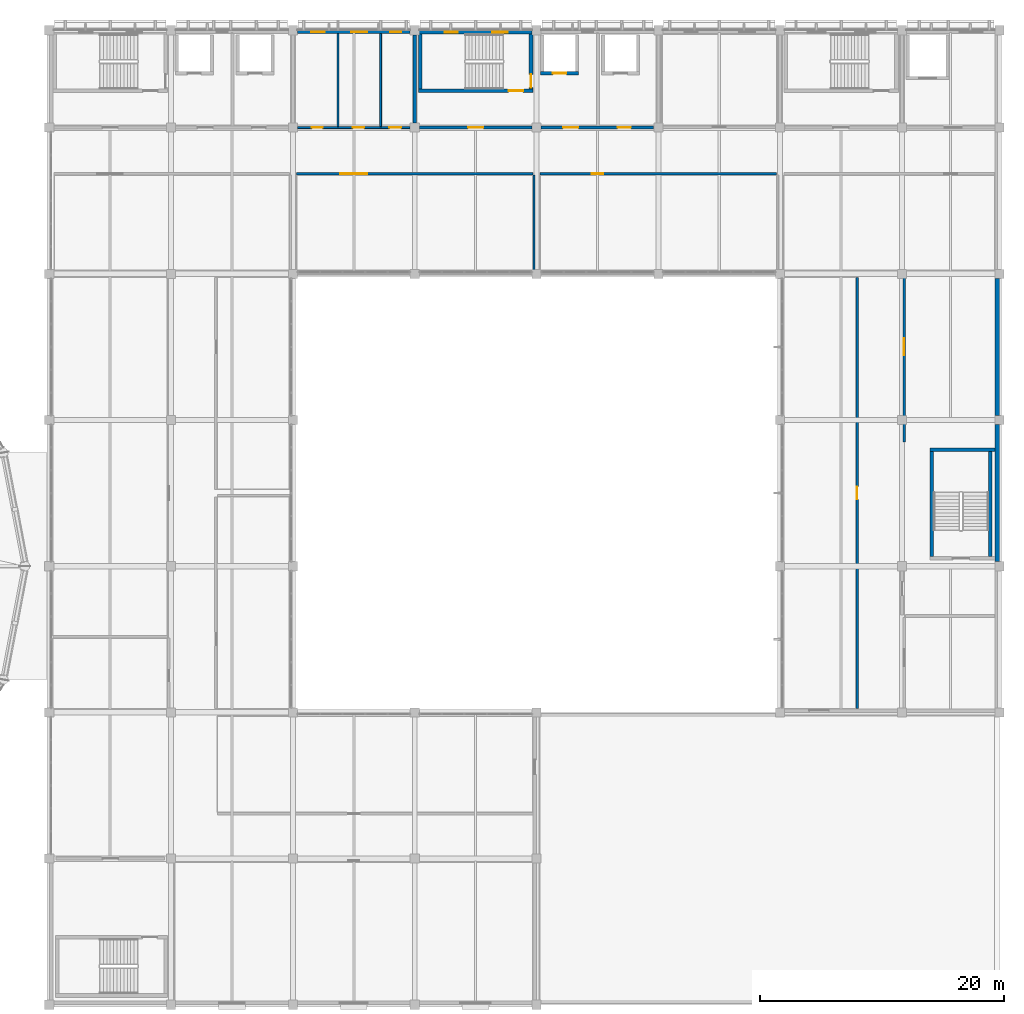
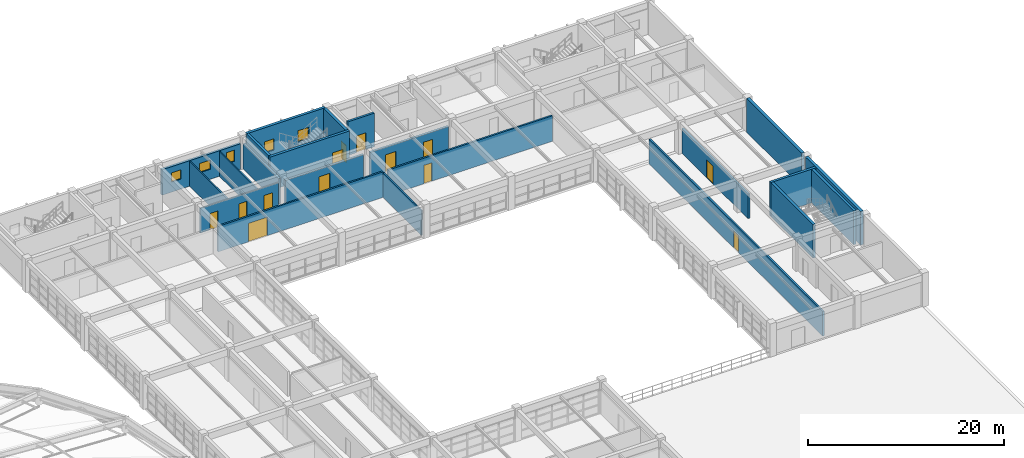
# One storey, part 72 of 83: 22 walls, 13 doors, 5 windows, 18 openings.
"""IFC4 building model written with IfcOpenShell, lengths in metres."""

from ifc_helpers import new_model, si_unit, direction, frame, frame_2d, origin, place, context, subcontext, project, spatial, rectangle, extrude, material, layer, layer_set, type_object, element, fill, save


model = new_model("IFC4")

# Units and contexts
model_context = context("Model", 3, precision=1e-05, world=origin(), true_north=direction((0.0, 1.0)))
body_context = subcontext(model_context, "Body", "Model", "MODEL_VIEW")
ifc_project = project(units=[si_unit("LENGTHUNIT", "METRE"), si_unit("AREAUNIT", "SQUARE_METRE"), si_unit("VOLUMEUNIT", "CUBIC_METRE"), si_unit("PLANEANGLEUNIT", "RADIAN"), si_unit("MASSUNIT", "GRAM", prefix="KILO")], contexts=[model_context])

# Site, building, storey
site_placement = place(None, origin())
site = spatial("IfcSite", under=ifc_project, at=site_placement, CompositionType="ELEMENT")
building_placement = place(site_placement, origin())
building = spatial("IfcBuilding", under=site, at=building_placement, Name="Kivolera Central Railway Station", CompositionType="ELEMENT")
storey_placement = place(building_placement, frame((0.0, 0.0, 14.39990234375)))
storey = spatial("IfcBuildingStorey", under=building, at=storey_placement, Name="L03", CompositionType="ELEMENT", Elevation=14.39990234375)

# Wall, opening, door
ifc_material_1 = material(Name="Concrete C40/50", Category="concrete")
ifc_layer_1 = layer(ifc_material_1, 0.22998046875, Name="Concrete C40/50")
ifc_layer_set_1 = layer_set([ifc_layer_1], Name="Concrete C40/50")
wall_type_1 = type_object("IfcWallType", Name="WL-COMP-230", PredefinedType="PARTITIONING", material=ifc_layer_set_1)
wall_1_placement = place(storey_placement, frame((188.179931640625, 100.199951171875, 0.0), z_axis=(0.0, 0.0, 1.0), x_axis=(0.0, 1.0, 0.0)))
wall_1 = element("IfcWall", 1, at=wall_1_placement, inside=storey, type_object=wall_type_1, Name="L03 Operational Records Archive Store Corridor Wall", PredefinedType="PARTITIONING", context=body_context, shape_type="SweptSolid", body=[
    extrude(rectangle(XDim=13.5, YDim=0.22998046875, at=frame_2d((6.75, 0.0))), origin(), (0.0, 0.0, 1.0), 3.078125),
])
opening_1_placement = place(wall_1_placement, frame((7.10009765625, 0.0, 0.0)))
opening_1 = element("IfcOpeningElement", 2, at=opening_1_placement, cuts=wall_1, Name="Opening D-PLT-1400", PredefinedType="OPENING", context=body_context, shape_type="SweptSolid", body=[
    extrude(rectangle(XDim=1.39990234375, YDim=2.199951171875, at=frame_2d((0.699951171875, 1.10009765625))), frame((0.0, 0.125, 0.0), z_axis=(0.0, -1.0, 0.0), x_axis=(1.0, 0.0, 0.0)), (0.0, 0.0, 1.0), 0.25),
])
ifc_material_2 = material(Name="Anodised aluminium", Category="aluminium")
door_type_1 = type_object("IfcDoorType", Name="DR-D-PLT-1400", OperationType="NOTDEFINED", PredefinedType="DOOR", material=ifc_material_2)
door_1_placement = place(opening_1_placement, origin())
door_1 = element("IfcDoor", 3, at=door_1_placement, inside=storey, type_object=door_type_1, Name="L03 Operational Records Archive Store Door", OperationType="SINGLE_SWING_LEFT", OverallHeight=2.199951171875, OverallWidth=1.39990234375, PredefinedType="DOOR", context=body_context, shape_type="SweptSolid", body=[
    extrude(rectangle(XDim=1.39990234375, YDim=2.199951171875, at=frame_2d((0.699951171875, 1.10009765625))), frame((0.0, 0.02490234375, 0.0), z_axis=(0.0, -1.0, 0.0), x_axis=(1.0, 0.0, 0.0)), (0.0, 0.0, 1.0), 0.050048828125),
])
fill(opening_1, door_1)

ifc_material_3 = material(Name="Swahili coral limestone", Category="masonry")
ifc_layer_2 = layer(ifc_material_3, 0.199951171875, Name="Swahili coral limestone")
ifc_layer_set_2 = layer_set([ifc_layer_2], Name="Swahili coral limestone")
wall_type_2 = type_object("IfcWallType", Name="WL-COR-200", PredefinedType="PARTITIONING", material=ifc_layer_set_2)
wall_2_placement = place(storey_placement, frame((138.300048828125, 122.219970703125, 0.0), z_axis=(0.0, 0.0, 1.0), x_axis=(1.0, 0.0, 0.0)))
wall_2 = element("IfcWall", 4, at=wall_2_placement, inside=storey, type_object=wall_type_2, Name="L03 Public Transport Exhibition Classroom Corridor Wall", PredefinedType="PARTITIONING", context=body_context, shape_type="SweptSolid", body=[
    extrude(rectangle(XDim=19.39990234375, YDim=0.199951171875, at=frame_2d((9.699951171875, 0.0))), origin(), (0.0, 0.0, 1.0), 3.177978515625),
])
opening_2_placement = place(wall_2_placement, frame((3.60009765625, 0.0, 0.0)))
opening_2 = element("IfcOpeningElement", 5, at=opening_2_placement, cuts=wall_2, Name="Opening D-DB-08", PredefinedType="OPENING", context=body_context, shape_type="SweptSolid", body=[
    extrude(rectangle(XDim=2.199951171875, YDim=2.300048828125, at=frame_2d((1.10009765625, 1.14990234375))), frame((0.0, 0.10986328125, 0.0), z_axis=(0.0, -1.0, 0.0), x_axis=(1.0, 0.0, 0.0)), (0.0, 0.0, 1.0), 0.219970703125),
])
door_type_2 = type_object("IfcDoorType", Name="DR-D-DB-08", OperationType="NOTDEFINED", PredefinedType="DOOR", material=ifc_material_2)
door_2_placement = place(opening_2_placement, origin())
door_2 = element("IfcDoor", 6, at=door_2_placement, inside=storey, type_object=door_type_2, Name="L03 Public Transport Exhibition Classroom Door", OperationType="DOUBLE_DOOR_SINGLE_SWING", OverallHeight=2.300048828125, OverallWidth=2.199951171875, PredefinedType="DOOR", context=body_context, shape_type="SweptSolid", body=[
    extrude(rectangle(XDim=2.199951171875, YDim=2.300048828125, at=frame_2d((1.10009765625, 1.14990234375))), frame((0.0, 0.02490234375, 0.0), z_axis=(0.0, -1.0, 0.0), x_axis=(1.0, 0.0, 0.0)), (0.0, 0.0, 1.0), 0.050048828125),
])
fill(opening_2, door_2)

wall_3_placement = place(storey_placement, frame((158.300048828125, 122.219970703125, 0.0), z_axis=(0.0, 0.0, 1.0), x_axis=(1.0, 0.0, 0.0)))
wall_3 = element("IfcWall", 7, at=wall_3_placement, inside=storey, type_object=wall_type_2, Name="L03 Station Master Administration Office Corridor Wall", PredefinedType="PARTITIONING", context=body_context, shape_type="SweptSolid", body=[
    extrude(rectangle(XDim=19.39990234375, YDim=0.199951171875, at=frame_2d((9.699951171875, 0.0))), origin(), (0.0, 0.0, 1.0), 3.177978515625),
])
opening_3_placement = place(wall_3_placement, frame((4.22509765625, 0.0, 0.0)))
opening_3 = element("IfcOpeningElement", 8, at=opening_3_placement, cuts=wall_3, Name="Opening D-SG-13", PredefinedType="OPENING", context=body_context, shape_type="SweptSolid", body=[
    extrude(rectangle(XDim=0.949951171875, YDim=2.300048828125, at=frame_2d((0.47509765625, 1.14990234375))), frame((0.0, 0.10986328125, 0.0), z_axis=(0.0, -1.0, 0.0), x_axis=(1.0, 0.0, 0.0)), (0.0, 0.0, 1.0), 0.219970703125),
])
ifc_material_4 = material(Name="Hardwood mvule timber", Category="wood")
door_type_3 = type_object("IfcDoorType", Name="DR-D-SG-13", OperationType="NOTDEFINED", PredefinedType="DOOR", material=ifc_material_4)
door_3_placement = place(opening_3_placement, origin())
door_3 = element("IfcDoor", 9, at=door_3_placement, inside=storey, type_object=door_type_3, Name="L03 Station Master Administration Office Door", OperationType="SINGLE_SWING_RIGHT", OverallHeight=2.300048828125, OverallWidth=0.949951171875, PredefinedType="DOOR", context=body_context, shape_type="SweptSolid", body=[
    extrude(rectangle(XDim=0.949951171875, YDim=2.300048828125, at=frame_2d((0.47509765625, 1.14990234375))), frame((0.0, 0.02490234375, 0.0), z_axis=(0.0, -1.0, 0.0), x_axis=(1.0, 0.0, 0.0)), (0.0, 0.0, 1.0), 0.050048828125),
])
fill(opening_3, door_3)

wall_4_placement = place(storey_placement, frame((184.320068359375, 78.300048828125, 0.0), z_axis=(0.0, 0.0, 1.0), x_axis=(0.0, 1.0, 0.0)))
wall_4 = element("IfcWall", 10, at=wall_4_placement, inside=storey, type_object=wall_type_2, Name="L03 Monsoon Overlook Civic Reception Lounge Corridor Wall", PredefinedType="PARTITIONING", context=body_context, shape_type="SweptSolid", body=[
    extrude(rectangle(XDim=35.39990234375, YDim=0.199951171875, at=frame_2d((17.699951171875, 0.0))), origin(), (0.0, 0.0, 1.0), 3.078125),
])
opening_4_placement = place(wall_4_placement, frame((17.175048828125, 0.0, 0.0)))
opening_4 = element("IfcOpeningElement", 11, at=opening_4_placement, cuts=wall_4, Name="Opening D-SG-04", PredefinedType="OPENING", context=body_context, shape_type="SweptSolid", body=[
    extrude(rectangle(XDim=1.050048828125, YDim=2.10009765625, at=frame_2d((0.52490234375, 1.050048828125))), frame((0.0, 0.10986328125, 0.0), z_axis=(0.0, -1.0, 0.0), x_axis=(1.0, 0.0, 0.0)), (0.0, 0.0, 1.0), 0.219970703125),
])
door_type_4 = type_object("IfcDoorType", Name="DR-D-SG-04", OperationType="NOTDEFINED", PredefinedType="DOOR", material=ifc_material_4)
door_4_placement = place(opening_4_placement, origin())
door_4 = element("IfcDoor", 12, at=door_4_placement, inside=storey, type_object=door_type_4, Name="L03 Monsoon Overlook Civic Reception Lounge Door", OperationType="SINGLE_SWING_RIGHT", OverallHeight=2.10009765625, OverallWidth=1.050048828125, PredefinedType="DOOR", context=body_context, shape_type="SweptSolid", body=[
    extrude(rectangle(XDim=1.050048828125, YDim=2.10009765625, at=frame_2d((0.52490234375, 1.050048828125))), frame((0.0, 0.02490234375, 0.0), z_axis=(0.0, -1.0, 0.0), x_axis=(1.0, 0.0, 0.0)), (0.0, 0.0, 1.0), 0.050048828125),
])
fill(opening_4, door_4)

ifc_layer_3 = layer(ifc_material_1, 0.300048828125, Name="Concrete C40/50")
ifc_layer_set_3 = layer_set([ifc_layer_3], Name="Concrete C40/50")
wall_type_3 = type_object("IfcWallType", Name="WL-CORE-300", PredefinedType="SHEAR", material=ifc_layer_set_3)
wall_5_placement = place(storey_placement, frame((157.699951171875, 129.030029296875, 0.0), z_axis=(0.0, 0.0, 1.0), x_axis=(-1.0, 0.0, 0.0)))
wall_5 = element("IfcWall", 13, at=wall_5_placement, inside=storey, type_object=wall_type_3, Name="L03 ST2 Core Right Shear Wall", PredefinedType="SHEAR", context=body_context, shape_type="SweptSolid", body=[
    extrude(rectangle(XDim=9.39990234375, YDim=0.300048828125, at=frame_2d((4.699951171875, 0.0))), origin(), (0.0, 0.0, 1.0), 4.2001953125),
])
opening_5_placement = place(wall_5_placement, frame((0.800048828125, 0.0, 0.0)))
opening_5 = element("IfcOpeningElement", 14, at=opening_5_placement, cuts=wall_5, Name="Opening D-STAIR-1200", PredefinedType="OPENING", context=body_context, shape_type="SweptSolid", body=[
    extrude(rectangle(XDim=1.199951171875, YDim=2.14990234375, at=frame_2d((0.60009765625, 1.074951171875))), frame((0.0, 0.159912109375, 0.0), z_axis=(0.0, -1.0, 0.0), x_axis=(1.0, 0.0, 0.0)), (0.0, 0.0, 1.0), 0.320068359375),
])
door_type_5 = type_object("IfcDoorType", Name="DR-D-STAIR-1200", OperationType="NOTDEFINED", PredefinedType="DOOR", material=ifc_material_4)
door_5_placement = place(opening_5_placement, origin())
door_5 = element("IfcDoor", 15, at=door_5_placement, inside=storey, type_object=door_type_5, Name="L03 ST2 Vestibule Fire Door", OperationType="SINGLE_SWING_LEFT", OverallHeight=2.14990234375, OverallWidth=1.199951171875, PredefinedType="DOOR", context=body_context, shape_type="SweptSolid", body=[
    extrude(rectangle(XDim=1.199951171875, YDim=2.14990234375, at=frame_2d((0.60009765625, 1.074951171875))), frame((0.0, 0.02490234375, 0.0), z_axis=(0.0, -1.0, 0.0), x_axis=(1.0, 0.0, 0.0)), (0.0, 0.0, 1.0), 0.050048828125),
])
fill(opening_5, door_5)

wall_6_placement = place(storey_placement, frame((157.550048828125, 133.679931640625, 0.0), z_axis=(0.0, 0.0, 1.0), x_axis=(0.0, -1.0, 0.0)))
wall_6 = element("IfcWall", 16, at=wall_6_placement, inside=storey, type_object=wall_type_3, Name="L03 ST2 Core Near Shear Wall", PredefinedType="SHEAR", context=body_context, shape_type="SweptSolid", body=[
    extrude(rectangle(XDim=4.5, YDim=0.300048828125, at=frame_2d((2.25, 0.0))), origin(), (0.0, 0.0, 1.0), 4.2001953125),
])
opening_6_placement = place(wall_6_placement, frame((3.300048828125, 0.0, 0.0)))
opening_6 = element("IfcOpeningElement", 17, at=opening_6_placement, cuts=wall_6, Name="Opening D-FFL-1100", PredefinedType="OPENING", context=body_context, shape_type="SweptSolid", body=[
    extrude(rectangle(XDim=1.10009765625, YDim=2.14990234375, at=frame_2d((0.550048828125, 1.074951171875))), frame((0.0, 0.159912109375, 0.0), z_axis=(0.0, -1.0, 0.0), x_axis=(1.0, 0.0, 0.0)), (0.0, 0.0, 1.0), 0.320068359375),
])
door_type_6 = type_object("IfcDoorType", Name="DR-D-FFL-1100", OperationType="NOTDEFINED", PredefinedType="DOOR", material=ifc_material_4)
door_6_placement = place(opening_6_placement, origin())
door_6 = element("IfcDoor", 18, at=door_6_placement, inside=storey, type_object=door_type_6, Name="L03 Firefighting Lobby to ST2 Fire Door", OperationType="SINGLE_SWING_RIGHT", OverallHeight=2.14990234375, OverallWidth=1.10009765625, PredefinedType="DOOR", context=body_context, shape_type="SweptSolid", body=[
    extrude(rectangle(XDim=1.10009765625, YDim=2.14990234375, at=frame_2d((0.550048828125, 1.074951171875))), frame((0.0, 0.02490234375, 0.0), z_axis=(0.0, -1.0, 0.0), x_axis=(1.0, 0.0, 0.0)), (0.0, 0.0, 1.0), 0.050048828125),
])
fill(opening_6, door_6)

# Walls
wall_7_placement = place(storey_placement, frame((148.449951171875, 129.179931640625, 0.0), z_axis=(0.0, 0.0, 1.0), x_axis=(0.0, 1.0, 0.0)))
element("IfcWall", 19, at=wall_7_placement, inside=storey, type_object=wall_type_3, Name="L03 ST2 Core Far Shear Wall", PredefinedType="SHEAR", context=body_context, shape_type="SweptSolid", body=[
    extrude(rectangle(XDim=4.5, YDim=0.300048828125, at=frame_2d((2.25, 0.0))), origin(), (0.0, 0.0, 1.0), 4.2001953125),
])
for number, where, z_axis, x_axis, name in (
    (20, (190.449951171875, 90.800048828125, 0.0), (0.0, 0.0, 1.0), (0.0, 1.0, 0.0), "L03 ST11 Core Right Shear Wall"),
    (21, (195.25, 99.39990234375, 0.0), (0.0, 0.0, 1.0), (0.0, -1.0, 0.0), "L03 ST11 Core Left Shear Wall"),
):
    element("IfcWall", number, at=place(storey_placement, frame(where, z_axis=z_axis, x_axis=x_axis)), inside=storey, type_object=wall_type_3, Name=name, PredefinedType="SHEAR", context=body_context, shape_type="SweptSolid", body=[
        extrude(rectangle(XDim=8.599853515625, YDim=0.300048828125, at=frame_2d((4.2998046875, 0.0))), origin(), (0.0, 0.0, 1.0), 4.2001953125),
    ])
wall_8_placement = place(storey_placement, frame((190.300048828125, 99.550048828125, 0.0), z_axis=(0.0, 0.0, 1.0), x_axis=(1.0, 0.0, 0.0)))
element("IfcWall", 22, at=wall_8_placement, inside=storey, type_object=wall_type_3, Name="L03 ST11 Core Far Shear Wall", PredefinedType="SHEAR", context=body_context, shape_type="SweptSolid", body=[
    extrude(rectangle(XDim=5.349853515625, YDim=0.300048828125, at=frame_2d((2.6748046875, 0.0))), origin(), (0.0, 0.0, 1.0), 4.2001953125),
])

# Wall, openings, windows
ifc_layer_4 = layer(ifc_material_1, 0.320068359375, Name="Concrete C40/50")
ifc_layer_set_4 = layer_set([ifc_layer_4], Name="Concrete C40/50")
wall_type_4 = type_object("IfcWallType", Name="WL-CORE-EXT-320", PredefinedType="SHEAR", material=ifc_layer_set_4)
wall_9_placement = place(storey_placement, frame((148.3701171875, 133.840087890625, 0.0), z_axis=(0.0, 0.0, 1.0), x_axis=(1.0, 0.0, 0.0)))
wall_9 = element("IfcWall", 23, at=wall_9_placement, inside=storey, type_object=wall_type_4, Name="L03 North Street Facade Wall Bay 4", PredefinedType="SHEAR", context=body_context, shape_type="SweptSolid", body=[
    extrude(rectangle(XDim=9.259765625, YDim=0.320068359375, at=frame_2d((4.6298828125, 0.0))), origin(), (0.0, 0.0, 1.0), 4.2001953125),
])
opening_7_placement = place(wall_9_placement, frame((2.080078125, 0.0, 1.050048828125)))
opening_7 = element("IfcOpeningElement", 24, at=opening_7_placement, cuts=wall_9, Name="Opening WN-14", PredefinedType="OPENING", context=body_context, shape_type="SweptSolid", body=[
    extrude(rectangle(XDim=1.10009765625, YDim=1.39990234375, at=frame_2d((0.550048828125, 0.699951171875))), frame((0.0, 0.169921875, 0.0), z_axis=(0.0, -1.0, 0.0), x_axis=(1.0, 0.0, 0.0)), (0.0, 0.0, 1.0), 0.340087890625),
])
opening_8_placement = place(wall_9_placement, frame((5.97998046875, 0.0, 1.050048828125)))
opening_8 = element("IfcOpeningElement", 25, at=opening_8_placement, cuts=wall_9, Name="Opening WN-15", PredefinedType="OPENING", context=body_context, shape_type="SweptSolid", body=[
    extrude(rectangle(XDim=1.300048828125, YDim=1.39990234375, at=frame_2d((0.64990234375, 0.699951171875))), frame((0.0, 0.169921875, 0.0), z_axis=(0.0, -1.0, 0.0), x_axis=(1.0, 0.0, 0.0)), (0.0, 0.0, 1.0), 0.340087890625),
])
ifc_material_5 = material(Name="Double low-E laminated glass", Category="glass")
window_type_1 = type_object("IfcWindowType", Name="WIN-WN-14", PartitioningType="SINGLE_PANEL", PredefinedType="WINDOW", material=ifc_material_5)
window_1_placement = place(opening_7_placement, origin())
window_1 = element("IfcWindow", 26, at=window_1_placement, inside=storey, type_object=window_type_1, Name="L03 North Street Window Bay 4.1", OverallHeight=1.39990234375, OverallWidth=1.10009765625, PartitioningType="SINGLE_PANEL", PredefinedType="WINDOW", context=body_context, shape_type="SweptSolid", body=[
    extrude(rectangle(XDim=1.10009765625, YDim=1.39990234375, at=frame_2d((0.550048828125, 0.699951171875))), frame((0.0, 0.030029296875, 0.0), z_axis=(0.0, -1.0, 0.0), x_axis=(1.0, 0.0, 0.0)), (0.0, 0.0, 1.0), 0.06005859375),
])
fill(opening_7, window_1)
window_type_2 = type_object("IfcWindowType", Name="WIN-WN-15", PartitioningType="SINGLE_PANEL", PredefinedType="WINDOW", material=ifc_material_5)
window_2_placement = place(opening_8_placement, origin())
window_2 = element("IfcWindow", 27, at=window_2_placement, inside=storey, type_object=window_type_2, Name="L03 North Street Window Bay 4.2", OverallHeight=1.39990234375, OverallWidth=1.300048828125, PartitioningType="SINGLE_PANEL", PredefinedType="WINDOW", context=body_context, shape_type="SweptSolid", body=[
    extrude(rectangle(XDim=1.300048828125, YDim=1.39990234375, at=frame_2d((0.64990234375, 0.699951171875))), frame((0.0, 0.030029296875, 0.0), z_axis=(0.0, -1.0, 0.0), x_axis=(1.0, 0.0, 0.0)), (0.0, 0.0, 1.0), 0.06005859375),
])
fill(opening_8, window_2)

ifc_layer_5 = layer(ifc_material_3, 0.2900390625, Name="Swahili coral limestone")
ifc_layer_set_5 = layer_set([ifc_layer_5], Name="Swahili coral limestone")
wall_type_5 = type_object("IfcWallType", Name="WL-EXT-CORAL-290", PredefinedType="SOLIDWALL", material=ifc_layer_set_5)
wall_10_placement = place(storey_placement, frame((138.3701171875, 133.85498046875, 0.0), z_axis=(0.0, 0.0, 1.0), x_axis=(1.0, 0.0, 0.0)))
wall_10 = element("IfcWall", 28, at=wall_10_placement, inside=storey, type_object=wall_type_5, Name="L03 North Street Facade Wall Bay 3", PredefinedType="SOLIDWALL", context=body_context, shape_type="SweptSolid", body=[
    extrude(rectangle(XDim=9.259765625, YDim=0.2900390625, at=frame_2d((4.6298828125, 0.0))), origin(), (0.0, 0.0, 1.0), 3.177978515625),
])
opening_9_placement = place(wall_10_placement, frame((1.1298828125, 0.0, 1.25)))
opening_9 = element("IfcOpeningElement", 29, at=opening_9_placement, cuts=wall_10, Name="Opening WN-02", PredefinedType="OPENING", context=body_context, shape_type="SweptSolid", body=[
    extrude(rectangle(XDim=1.10009765625, YDim=1.14990234375, at=frame_2d((0.550048828125, 0.574951171875))), frame((0.0, 0.155029296875, 0.0), z_axis=(0.0, -1.0, 0.0), x_axis=(1.0, 0.0, 0.0)), (0.0, 0.0, 1.0), 0.31005859375),
])
opening_10_placement = place(wall_10_placement, frame((4.429931640625, 0.0, 1.25)))
opening_10 = element("IfcOpeningElement", 30, at=opening_10_placement, cuts=wall_10, Name="Opening WN-03", PredefinedType="OPENING", context=body_context, shape_type="SweptSolid", body=[
    extrude(rectangle(XDim=1.300048828125, YDim=1.14990234375, at=frame_2d((0.64990234375, 0.574951171875))), frame((0.0, 0.155029296875, 0.0), z_axis=(0.0, -1.0, 0.0), x_axis=(1.0, 0.0, 0.0)), (0.0, 0.0, 1.0), 0.31005859375),
])
opening_11_placement = place(wall_10_placement, frame((7.6298828125, 0.0, 1.25)))
opening_11 = element("IfcOpeningElement", 31, at=opening_11_placement, cuts=wall_10, Name="Opening WN-13", PredefinedType="OPENING", context=body_context, shape_type="SweptSolid", body=[
    extrude(rectangle(XDim=0.89990234375, YDim=1.39990234375, at=frame_2d((0.449951171875, 0.699951171875))), frame((0.0, 0.155029296875, 0.0), z_axis=(0.0, -1.0, 0.0), x_axis=(1.0, 0.0, 0.0)), (0.0, 0.0, 1.0), 0.31005859375),
])
window_type_3 = type_object("IfcWindowType", Name="WIN-WN-02", PartitioningType="SINGLE_PANEL", PredefinedType="WINDOW", material=ifc_material_5)
window_3_placement = place(opening_9_placement, origin())
window_3 = element("IfcWindow", 32, at=window_3_placement, inside=storey, type_object=window_type_3, Name="L03 North Street Window Bay 3.1", OverallHeight=1.14990234375, OverallWidth=1.10009765625, PartitioningType="SINGLE_PANEL", PredefinedType="WINDOW", context=body_context, shape_type="SweptSolid", body=[
    extrude(rectangle(XDim=1.10009765625, YDim=1.14990234375, at=frame_2d((0.550048828125, 0.574951171875))), frame((0.0, 0.030029296875, 0.0), z_axis=(0.0, -1.0, 0.0), x_axis=(1.0, 0.0, 0.0)), (0.0, 0.0, 1.0), 0.06005859375),
])
fill(opening_9, window_3)
window_type_4 = type_object("IfcWindowType", Name="WIN-WN-03", PartitioningType="SINGLE_PANEL", PredefinedType="WINDOW", material=ifc_material_5)
window_4_placement = place(opening_10_placement, origin())
window_4 = element("IfcWindow", 33, at=window_4_placement, inside=storey, type_object=window_type_4, Name="L03 North Street Window Bay 3.2", OverallHeight=1.14990234375, OverallWidth=1.300048828125, PartitioningType="SINGLE_PANEL", PredefinedType="WINDOW", context=body_context, shape_type="SweptSolid", body=[
    extrude(rectangle(XDim=1.300048828125, YDim=1.14990234375, at=frame_2d((0.64990234375, 0.574951171875))), frame((0.0, 0.030029296875, 0.0), z_axis=(0.0, -1.0, 0.0), x_axis=(1.0, 0.0, 0.0)), (0.0, 0.0, 1.0), 0.06005859375),
])
fill(opening_10, window_4)
window_type_5 = type_object("IfcWindowType", Name="WIN-WN-13", PartitioningType="SINGLE_PANEL", PredefinedType="WINDOW", material=ifc_material_5)
window_5_placement = place(opening_11_placement, origin())
window_5 = element("IfcWindow", 34, at=window_5_placement, inside=storey, type_object=window_type_5, Name="L03 North Street Window Bay 3.3", OverallHeight=1.39990234375, OverallWidth=0.89990234375, PartitioningType="SINGLE_PANEL", PredefinedType="WINDOW", context=body_context, shape_type="SweptSolid", body=[
    extrude(rectangle(XDim=0.89990234375, YDim=1.39990234375, at=frame_2d((0.449951171875, 0.699951171875))), frame((0.0, 0.030029296875, 0.0), z_axis=(0.0, -1.0, 0.0), x_axis=(1.0, 0.0, 0.0)), (0.0, 0.0, 1.0), 0.06005859375),
])
fill(opening_11, window_5)

# Wall, opening, door
ifc_layer_6 = layer(ifc_material_1, 0.25, Name="Concrete C40/50")
ifc_layer_set_6 = layer_set([ifc_layer_6], Name="Concrete C40/50")
wall_type_6 = type_object("IfcWallType", Name="WL-FFL-250", PredefinedType="PARTITIONING", material=ifc_layer_set_6)
wall_11_placement = place(storey_placement, frame((148.3798828125, 126.0, 0.0), z_axis=(0.0, 0.0, 1.0), x_axis=(1.0, 0.0, 0.0)))
wall_11 = element("IfcWall", 35, at=wall_11_placement, inside=storey, type_object=wall_type_6, Name="L03 North Core Corridor Wall 148", PredefinedType="PARTITIONING", context=body_context, shape_type="SweptSolid", body=[
    extrude(rectangle(XDim=9.240234375, YDim=0.25, at=frame_2d((4.6201171875, 0.0))), origin(), (0.0, 0.0, 1.0), 3.078125),
])
opening_12_placement = place(wall_11_placement, frame((3.9951171875, 0.0, 0.0)))
opening_12 = element("IfcOpeningElement", 36, at=opening_12_placement, cuts=wall_11, Name="Opening D-FFL-1250", PredefinedType="OPENING", context=body_context, shape_type="SweptSolid", body=[
    extrude(rectangle(XDim=1.25, YDim=2.14990234375, at=frame_2d((0.625, 1.074951171875))), frame((0.0, 0.135009765625, 0.0), z_axis=(0.0, -1.0, 0.0), x_axis=(1.0, 0.0, 0.0)), (0.0, 0.0, 1.0), 0.27001953125),
])
door_type_7 = type_object("IfcDoorType", Name="DR-D-FFL-1250", OperationType="NOTDEFINED", PredefinedType="DOOR", material=ifc_material_4)
door_7_placement = place(opening_12_placement, origin())
door_7 = element("IfcDoor", 37, at=door_7_placement, inside=storey, type_object=door_type_7, Name="L03 ST2 Vestibule Corridor Door", OperationType="SINGLE_SWING_RIGHT", OverallHeight=2.14990234375, OverallWidth=1.25, PredefinedType="DOOR", context=body_context, shape_type="SweptSolid", body=[
    extrude(rectangle(XDim=1.25, YDim=2.14990234375, at=frame_2d((0.625, 1.074951171875))), frame((0.0, 0.02490234375, 0.0), z_axis=(0.0, -1.0, 0.0), x_axis=(1.0, 0.0, 0.0)), (0.0, 0.0, 1.0), 0.050048828125),
])
fill(opening_12, door_7)

# Wall, openings, doors
wall_12_placement = place(storey_placement, frame((158.3798828125, 126.0, 0.0), z_axis=(0.0, 0.0, 1.0), x_axis=(1.0, 0.0, 0.0)))
wall_12 = element("IfcWall", 38, at=wall_12_placement, inside=storey, type_object=wall_type_6, Name="L03 North Core Corridor Wall 158", PredefinedType="PARTITIONING", context=body_context, shape_type="SweptSolid", body=[
    extrude(rectangle(XDim=9.240234375, YDim=0.25, at=frame_2d((4.6201171875, 0.0))), origin(), (0.0, 0.0, 1.0), 3.078125),
])
opening_13_placement = place(wall_12_placement, frame((1.794921875, 0.0, 0.0)))
opening_13 = element("IfcOpeningElement", 39, at=opening_13_placement, cuts=wall_12, Name="Opening D-FFL-1250", PredefinedType="OPENING", context=body_context, shape_type="SweptSolid", body=[
    extrude(rectangle(XDim=1.25, YDim=2.14990234375, at=frame_2d((0.625, 1.074951171875))), frame((0.0, 0.135009765625, 0.0), z_axis=(0.0, -1.0, 0.0), x_axis=(1.0, 0.0, 0.0)), (0.0, 0.0, 1.0), 0.27001953125),
])
opening_14_placement = place(wall_12_placement, frame((6.27001953125, 0.0, 0.0)))
opening_14 = element("IfcOpeningElement", 40, at=opening_14_placement, cuts=wall_12, Name="Opening D-FFL-1100", PredefinedType="OPENING", context=body_context, shape_type="SweptSolid", body=[
    extrude(rectangle(XDim=1.10009765625, YDim=2.14990234375, at=frame_2d((0.550048828125, 1.074951171875))), frame((0.0, 0.135009765625, 0.0), z_axis=(0.0, -1.0, 0.0), x_axis=(1.0, 0.0, 0.0)), (0.0, 0.0, 1.0), 0.27001953125),
])
door_8_placement = place(opening_14_placement, origin())
door_8 = element("IfcDoor", 41, at=door_8_placement, inside=storey, type_object=door_type_6, Name="L03 PL2 Lift Lobby Door", OperationType="SINGLE_SWING_RIGHT", OverallHeight=2.14990234375, OverallWidth=1.10009765625, PredefinedType="DOOR", context=body_context, shape_type="SweptSolid", body=[
    extrude(rectangle(XDim=1.10009765625, YDim=2.14990234375, at=frame_2d((0.550048828125, 1.074951171875))), frame((0.0, 0.02490234375, 0.0), z_axis=(0.0, -1.0, 0.0), x_axis=(1.0, 0.0, 0.0)), (0.0, 0.0, 1.0), 0.050048828125),
])
fill(opening_14, door_8)
door_9_placement = place(opening_13_placement, origin())
door_9 = element("IfcDoor", 42, at=door_9_placement, inside=storey, type_object=door_type_7, Name="L03 FL2 Firefighting Lobby Corridor Fire Door", OperationType="SINGLE_SWING_LEFT", OverallHeight=2.14990234375, OverallWidth=1.25, PredefinedType="DOOR", context=body_context, shape_type="SweptSolid", body=[
    extrude(rectangle(XDim=1.25, YDim=2.14990234375, at=frame_2d((0.625, 1.074951171875))), frame((0.0, 0.02490234375, 0.0), z_axis=(0.0, -1.0, 0.0), x_axis=(1.0, 0.0, 0.0)), (0.0, 0.0, 1.0), 0.050048828125),
])
fill(opening_13, door_9)

# Walls
wall_13_placement = place(storey_placement, frame((148.0, 126.3798828125, 0.0), z_axis=(0.0, 0.0, 1.0), x_axis=(0.0, 1.0, 0.0)))
element("IfcWall", 43, at=wall_13_placement, inside=storey, type_object=wall_type_6, Name="L03 North Core Partition GRID-148", PredefinedType="PARTITIONING", context=body_context, shape_type="SweptSolid", body=[
    extrude(rectangle(XDim=7.240234375, YDim=0.25, at=frame_2d((3.6201171875, 0.0))), origin(), (0.0, 0.0, 1.0), 3.177978515625),
])
ifc_layer_7 = layer(ifc_material_1, 0.35009765625, Name="Concrete C40/50")
ifc_layer_set_7 = layer_set([ifc_layer_7], Name="Concrete C40/50")
wall_type_7 = type_object("IfcWallType", Name="WL-PARTY-350", PredefinedType="SOLIDWALL", material=ifc_layer_set_7)
for number, where, z_axis, x_axis, name in (
    (44, (195.824951171875, 101.6298828125, 0.0), (0.0, 0.0, 1.0), (0.0, -1.0, 0.0), "L03 East Infill EI 120 Party Wall 90-102"),
    (45, (195.824951171875, 113.6298828125, 0.0), (0.0, 0.0, 1.0), (0.0, -1.0, 0.0), "L03 East Infill EI 120 Party Wall 102-114"),
):
    element("IfcWall", number, at=place(storey_placement, frame(where, z_axis=z_axis, x_axis=x_axis)), inside=storey, type_object=wall_type_7, Name=name, PredefinedType="SOLIDWALL", context=body_context, shape_type="SweptSolid", body=[
        extrude(rectangle(XDim=11.259765625, YDim=0.35009765625, at=frame_2d((5.6298828125, 0.0))), origin(), (0.0, 0.0, 1.0), 4.2001953125),
    ])

# Wall, openings, doors
ifc_material_6 = material(Name="Gypsum plasterboard steel-stud partition")
ifc_layer_8 = layer(ifc_material_6, 0.14990234375, Name="Gypsum plasterboard steel-stud partition")
ifc_layer_set_8 = layer_set([ifc_layer_8], Name="Gypsum plasterboard steel-stud partition")
wall_type_8 = type_object("IfcWallType", Name="WL-PRT-150", PredefinedType="PARTITIONING", material=ifc_layer_set_8)
wall_14_placement = place(storey_placement, frame((138.3798828125, 126.0, 0.0), z_axis=(0.0, 0.0, 1.0), x_axis=(1.0, 0.0, 0.0)))
wall_14 = element("IfcWall", 46, at=wall_14_placement, inside=storey, type_object=wall_type_8, Name="L03 North Core Corridor Wall 138", PredefinedType="PARTITIONING", context=body_context, shape_type="SweptSolid", body=[
    extrude(rectangle(XDim=9.240234375, YDim=0.14990234375, at=frame_2d((4.6201171875, 0.0))), origin(), (0.0, 0.0, 1.0), 3.078125),
])
opening_15_placement = place(wall_14_placement, frame((1.169921875, 0.0, 0.0)))
opening_15 = element("IfcOpeningElement", 47, at=opening_15_placement, cuts=wall_14, Name="Opening D-WC-0900", PredefinedType="OPENING", context=body_context, shape_type="SweptSolid", body=[
    extrude(rectangle(XDim=0.89990234375, YDim=2.050048828125, at=frame_2d((0.449951171875, 1.02490234375))), frame((0.0, 0.0849609375, 0.0), z_axis=(0.0, -1.0, 0.0), x_axis=(1.0, 0.0, 0.0)), (0.0, 0.0, 1.0), 0.169921875),
])
opening_16_placement = place(wall_14_placement, frame((4.544921875, 0.0, 0.0)))
opening_16 = element("IfcOpeningElement", 48, at=opening_16_placement, cuts=wall_14, Name="Opening D-WC-0950", PredefinedType="OPENING", context=body_context, shape_type="SweptSolid", body=[
    extrude(rectangle(XDim=0.949951171875, YDim=2.050048828125, at=frame_2d((0.47509765625, 1.02490234375))), frame((0.0, 0.0849609375, 0.0), z_axis=(0.0, -1.0, 0.0), x_axis=(1.0, 0.0, 0.0)), (0.0, 0.0, 1.0), 0.169921875),
])
opening_17_placement = place(wall_14_placement, frame((7.52001953125, 0.0, 0.0)))
opening_17 = element("IfcOpeningElement", 49, at=opening_17_placement, cuts=wall_14, Name="Opening D-ACC-1000", PredefinedType="OPENING", context=body_context, shape_type="SweptSolid", body=[
    extrude(rectangle(XDim=1.0, YDim=2.050048828125, at=frame_2d((0.5, 1.02490234375))), frame((0.0, 0.0849609375, 0.0), z_axis=(0.0, -1.0, 0.0), x_axis=(1.0, 0.0, 0.0)), (0.0, 0.0, 1.0), 0.169921875),
])
door_type_8 = type_object("IfcDoorType", Name="DR-D-ACC-1000", OperationType="NOTDEFINED", PredefinedType="DOOR", material=ifc_material_4)
door_10_placement = place(opening_17_placement, origin())
door_10 = element("IfcDoor", 50, at=door_10_placement, inside=storey, type_object=door_type_8, Name="L03 Accessible Washroom Door", OperationType="SINGLE_SWING_LEFT", OverallHeight=2.050048828125, OverallWidth=1.0, PredefinedType="DOOR", context=body_context, shape_type="SweptSolid", body=[
    extrude(rectangle(XDim=1.0, YDim=2.050048828125, at=frame_2d((0.5, 1.02490234375))), frame((0.0, 0.02490234375, 0.0), z_axis=(0.0, -1.0, 0.0), x_axis=(1.0, 0.0, 0.0)), (0.0, 0.0, 1.0), 0.050048828125),
])
fill(opening_17, door_10)
door_type_9 = type_object("IfcDoorType", Name="DR-D-WC-0900", OperationType="NOTDEFINED", PredefinedType="DOOR", material=ifc_material_4)
door_11_placement = place(opening_15_placement, origin())
door_11 = element("IfcDoor", 51, at=door_11_placement, inside=storey, type_object=door_type_9, Name="L03 Male Washroom Door", OperationType="SINGLE_SWING_LEFT", OverallHeight=2.050048828125, OverallWidth=0.89990234375, PredefinedType="DOOR", context=body_context, shape_type="SweptSolid", body=[
    extrude(rectangle(XDim=0.89990234375, YDim=2.050048828125, at=frame_2d((0.449951171875, 1.02490234375))), frame((0.0, 0.02490234375, 0.0), z_axis=(0.0, -1.0, 0.0), x_axis=(1.0, 0.0, 0.0)), (0.0, 0.0, 1.0), 0.050048828125),
])
fill(opening_15, door_11)
door_type_10 = type_object("IfcDoorType", Name="DR-D-WC-0950", OperationType="NOTDEFINED", PredefinedType="DOOR", material=ifc_material_4)
door_12_placement = place(opening_16_placement, origin())
door_12 = element("IfcDoor", 52, at=door_12_placement, inside=storey, type_object=door_type_10, Name="L03 Female Washroom Door", OperationType="SINGLE_SWING_RIGHT", OverallHeight=2.050048828125, OverallWidth=0.949951171875, PredefinedType="DOOR", context=body_context, shape_type="SweptSolid", body=[
    extrude(rectangle(XDim=0.949951171875, YDim=2.050048828125, at=frame_2d((0.47509765625, 1.02490234375))), frame((0.0, 0.02490234375, 0.0), z_axis=(0.0, -1.0, 0.0), x_axis=(1.0, 0.0, 0.0)), (0.0, 0.0, 1.0), 0.050048828125),
])
fill(opening_16, door_12)

# Walls
for number, where, z_axis, x_axis, name in (
    (53, (141.699951171875, 126.074951171875, 0.0), (0.0, 0.0, 1.0), (0.0, 1.0, 0.0), "L03 North Core Partition WC-DIV1"),
    (54, (145.199951171875, 126.074951171875, 0.0), (0.0, 0.0, 1.0), (0.0, 1.0, 0.0), "L03 North Core Partition WC-DIV2"),
):
    element("IfcWall", number, at=place(storey_placement, frame(where, z_axis=z_axis, x_axis=x_axis)), inside=storey, type_object=wall_type_8, Name=name, PredefinedType="PARTITIONING", context=body_context, shape_type="SweptSolid", body=[
        extrude(rectangle(XDim=7.635009765625, YDim=0.14990234375, at=frame_2d((3.8173828125, 0.0))), origin(), (0.0, 0.0, 1.0), 3.078125),
    ])
ifc_layer_9 = layer(ifc_material_6, 0.1650390625, Name="Gypsum plasterboard steel-stud partition")
ifc_layer_set_9 = layer_set([ifc_layer_9], Name="Gypsum plasterboard steel-stud partition")
wall_type_9 = type_object("IfcWallType", Name="WL-PRT-165", PredefinedType="PARTITIONING", material=ifc_layer_set_9)
wall_15_placement = place(storey_placement, frame((157.800048828125, 114.300048828125, 0.0), z_axis=(0.0, 0.0, 1.0), x_axis=(0.0, 1.0, 0.0)))
element("IfcWall", 55, at=wall_15_placement, inside=storey, type_object=wall_type_9, Name="L03 Public Transport Exhibition Classroom Partition Wall", PredefinedType="PARTITIONING", context=body_context, shape_type="SweptSolid", body=[
    extrude(rectangle(XDim=7.800048828125, YDim=0.1650390625, at=frame_2d((3.89990234375, 0.0))), origin(), (0.0, 0.0, 1.0), 3.078125),
])

# Wall, opening, door
ifc_layer_10 = layer(ifc_material_1, 0.260009765625, Name="Concrete C40/50")
ifc_layer_set_10 = layer_set([ifc_layer_10], Name="Concrete C40/50")
wall_type_10 = type_object("IfcWallType", Name="WL-SHAFT-260", PredefinedType="SHEAR", material=ifc_layer_set_10)
wall_16_placement = place(storey_placement, frame((158.340087890625, 130.469970703125, 0.0), z_axis=(0.0, 0.0, 1.0), x_axis=(1.0, 0.0, 0.0)))
wall_16 = element("IfcWall", 56, at=wall_16_placement, inside=storey, type_object=wall_type_10, Name="L03 Lift FL2 Front Shaft Wall", PredefinedType="SHEAR", context=body_context, shape_type="SweptSolid", body=[
    extrude(rectangle(XDim=3.119873046875, YDim=0.260009765625, at=frame_2d((1.56005859375, 0.0))), origin(), (0.0, 0.0, 1.0), 4.2001953125),
])
opening_18_placement = place(wall_16_placement, frame((1.010009765625, 0.0, 0.0)))
opening_18 = element("IfcOpeningElement", 57, at=opening_18_placement, cuts=wall_16, Name="Opening LD-FFL-1100", PredefinedType="OPENING", context=body_context, shape_type="SweptSolid", body=[
    extrude(rectangle(XDim=1.10009765625, YDim=2.10009765625, at=frame_2d((0.550048828125, 1.050048828125))), frame((0.0, 0.139892578125, 0.0), z_axis=(0.0, -1.0, 0.0), x_axis=(1.0, 0.0, 0.0)), (0.0, 0.0, 1.0), 0.280029296875),
])
door_type_11 = type_object("IfcDoorType", Name="DR-LD-FFL-1100", OperationType="NOTDEFINED", PredefinedType="DOOR", material=ifc_material_2)
door_13_placement = place(opening_18_placement, origin())
door_13 = element("IfcDoor", 58, at=door_13_placement, inside=storey, type_object=door_type_11, Name="L03 Lift FL2 Sliding Landing Door", OperationType="SLIDING_TO_LEFT", OverallHeight=2.10009765625, OverallWidth=1.10009765625, PredefinedType="DOOR", context=body_context, shape_type="SweptSolid", body=[
    extrude(rectangle(XDim=1.10009765625, YDim=2.10009765625, at=frame_2d((0.550048828125, 1.050048828125))), frame((0.0, 0.02490234375, 0.0), z_axis=(0.0, -1.0, 0.0), x_axis=(1.0, 0.0, 0.0)), (0.0, 0.0, 1.0), 0.050048828125),
])
fill(opening_18, door_13)

save(model, "model.ifc")
